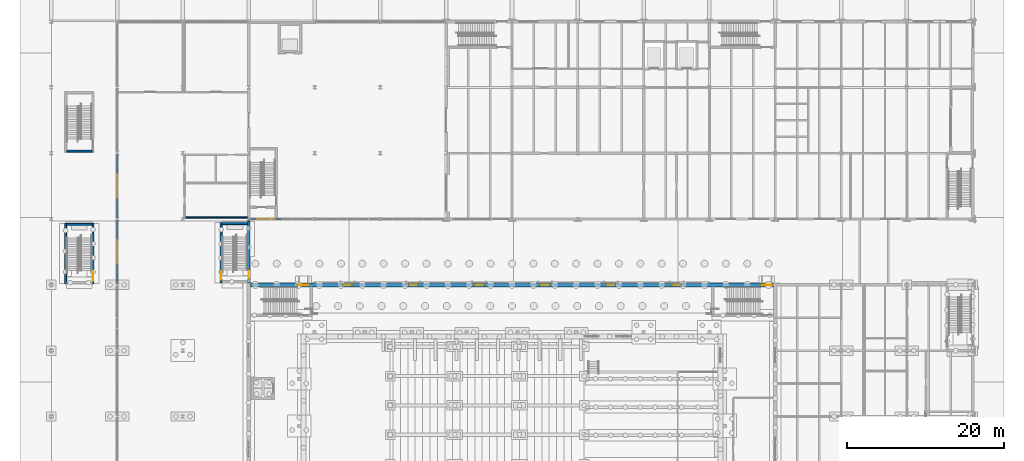
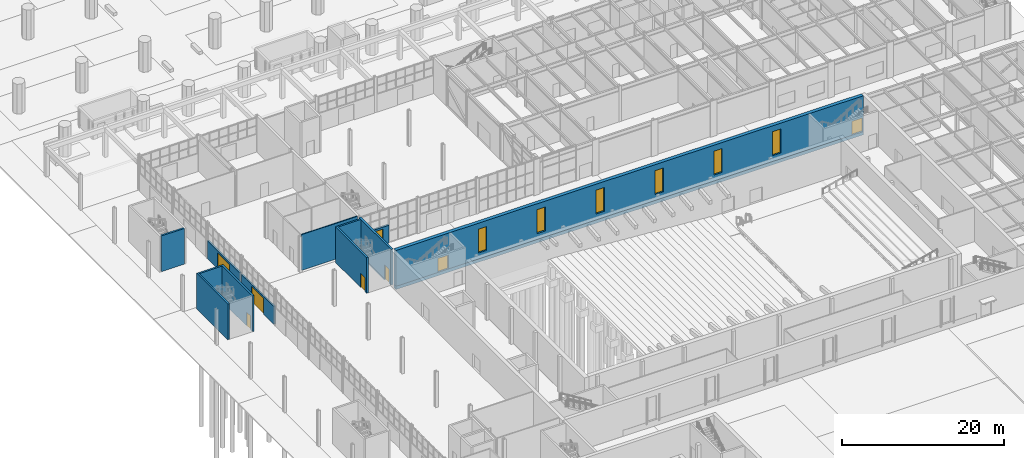
# One storey, part 65 of 127: 14 walls, 8 doors, 6 windows, 14 openings.
"""IFC4 building model written with IfcOpenShell, lengths in metres."""

from ifc_helpers import new_model, si_unit, direction, frame, frame_2d, origin, place, context, subcontext, project, spatial, rectangle, extrude, material, layer, layer_set, type_object, element, fill, save


model = new_model("IFC4")

# Units and contexts
model_context = context("Model", 3, precision=1e-05, world=origin(), true_north=direction((0.0, 1.0)))
body_context = subcontext(model_context, "Body", "Model", "MODEL_VIEW")
ifc_project = project(units=[si_unit("LENGTHUNIT", "METRE"), si_unit("AREAUNIT", "SQUARE_METRE"), si_unit("VOLUMEUNIT", "CUBIC_METRE"), si_unit("PLANEANGLEUNIT", "RADIAN"), si_unit("MASSUNIT", "GRAM", prefix="KILO")], contexts=[model_context])

# Site, building, storey
site_placement = place(None, origin())
site = spatial("IfcSite", under=ifc_project, at=site_placement, CompositionType="ELEMENT")
building_placement = place(site_placement, origin())
building = spatial("IfcBuilding", under=site, at=building_placement, Name="Ljudholm Concert House", CompositionType="ELEMENT")
storey_placement = place(building_placement, origin())
storey = spatial("IfcBuildingStorey", under=building, at=storey_placement, Name="L00", CompositionType="ELEMENT", Elevation=0.0)

# Wall
ifc_material_1 = material(Name="Gypsum board on steel studs", Category="steel")
ifc_layer_1 = layer(ifc_material_1, 0.14990234375)
ifc_layer_set_1 = layer_set([ifc_layer_1], Name="Gypsum board on steel studs")
wall_type_1 = type_object("IfcWallType", Name="GYPSUM PARTITION 150", PredefinedType="PARTITIONING", material=ifc_layer_set_1)
wall_1_placement = place(storey_placement, frame((21.074951171875, 105.0, 0.0), z_axis=(0.0, 0.0, 1.0), x_axis=(1.0, 0.0, 0.0)))
element("IfcWall", 1, at=wall_1_placement, inside=storey, type_object=wall_type_1, Name="Room wall", PredefinedType="PARTITIONING", context=body_context, shape_type="SweptSolid", body=[
    extrude(rectangle(XDim=7.97509765625, YDim=0.14990234375, at=frame_2d((3.987548828125, 0.0))), origin(), (0.0, 0.0, 1.0), 5.39990234375),
])

# Wall, opening, door
ifc_material_2 = material(Name="Concrete 6,500 psi", Category="concrete")
ifc_layer_2 = layer(ifc_material_2, 0.25)
ifc_layer_set_2 = layer_set([ifc_layer_2], Name="Concrete 6,500 psi")
wall_type_2 = type_object("IfcWallType", Name="RC CORE WALL 250", PredefinedType="SHEAR", material=ifc_layer_set_2)
wall_2_placement = place(storey_placement, frame((25.675048828125, 96.64990234375, 0.0), z_axis=(0.0, 0.0, 1.0), x_axis=(0.0, 1.0, 0.0)))
wall_2 = element("IfcWall", 2, at=wall_2_placement, inside=storey, type_object=wall_type_2, Name="Stair enclosure wall", PredefinedType="SHEAR", context=body_context, shape_type="SweptSolid", body=[
    extrude(rectangle(XDim=7.7001953125, YDim=0.25, at=frame_2d((3.85009765625, 0.0))), origin(), (0.0, 0.0, 1.0), 5.39990234375),
])
opening_1_placement = place(wall_2_placement, frame((0.39990234375, 0.0, 0.0)))
opening_1 = element("IfcOpeningElement", 3, at=opening_1_placement, cuts=wall_2, Name="Opening D-S00-017", PredefinedType="OPENING", context=body_context, shape_type="SweptSolid", body=[
    extrude(rectangle(XDim=1.10009765625, YDim=2.10009765625, at=frame_2d((0.550048828125, 1.050048828125))), frame((0.0, 0.135009765625, 0.0), z_axis=(0.0, -1.0, 0.0), x_axis=(1.0, 0.0, 0.0)), (0.0, 0.0, 1.0), 0.27001953125),
])
ifc_material_3 = material(Name="Hollow metal door in steel frame", Category="steel")
door_type_1 = type_object("IfcDoorType", Name="SWING DOOR 1100x2100", OperationType="SINGLE_SWING_LEFT", PredefinedType="DOOR", material=ifc_material_3)
door_1_placement = place(opening_1_placement, frame((1.10009765625, 0.0, 0.0), z_axis=(0.0, 0.0, 1.0), x_axis=(-1.0, 0.0, 0.0)))
door_1 = element("IfcDoor", 4, at=door_1_placement, inside=storey, type_object=door_type_1, Name="Stair door", OperationType="SINGLE_SWING_RIGHT", OverallHeight=2.10009765625, OverallWidth=1.10009765625, PredefinedType="DOOR", context=body_context, shape_type="SweptSolid", body=[
    extrude(rectangle(XDim=1.10009765625, YDim=2.10009765625, at=frame_2d((0.550048828125, 1.050048828125))), frame((0.0, 0.02490234375, 0.0), z_axis=(0.0, -1.0, 0.0), x_axis=(1.0, 0.0, 0.0)), (0.0, 0.0, 1.0), 0.050048828125),
])
fill(opening_1, door_1)

# Walls
wall_3_placement = place(storey_placement, frame((25.800048828125, 104.22509765625, 0.0), z_axis=(0.0, 0.0, 1.0), x_axis=(1.0, 0.0, 0.0)))
element("IfcWall", 5, at=wall_3_placement, inside=storey, type_object=wall_type_2, Name="Stair enclosure wall", PredefinedType="SHEAR", context=body_context, shape_type="SweptSolid", body=[
    extrude(rectangle(XDim=3.25, YDim=0.25, at=frame_2d((1.625, 0.0))), origin(), (0.0, 0.0, 1.0), 5.39990234375),
])
wall_4_placement = place(storey_placement, frame((5.824951171875, 96.550048828125, 0.0), z_axis=(0.0, 0.0, 1.0), x_axis=(0.0, 1.0, 0.0)))
element("IfcWall", 6, at=wall_4_placement, inside=storey, type_object=wall_type_2, Name="Stair enclosure wall", PredefinedType="SHEAR", context=body_context, shape_type="SweptSolid", body=[
    extrude(rectangle(XDim=7.699951171875, YDim=0.25, at=frame_2d((3.85009765625, 0.0))), origin(), (0.0, 0.0, 1.0), 5.39990234375),
])

# Wall, opening, door
wall_5_placement = place(storey_placement, frame((9.324951171875, 96.550048828125, 0.0), z_axis=(0.0, 0.0, 1.0), x_axis=(0.0, 1.0, 0.0)))
wall_5 = element("IfcWall", 7, at=wall_5_placement, inside=storey, type_object=wall_type_2, Name="Stair enclosure wall", PredefinedType="SHEAR", context=body_context, shape_type="SweptSolid", body=[
    extrude(rectangle(XDim=7.699951171875, YDim=0.25, at=frame_2d((3.85009765625, 0.0))), origin(), (0.0, 0.0, 1.0), 5.39990234375),
])
opening_2_placement = place(wall_5_placement, frame((0.39990234375, 0.0, 0.0)))
opening_2 = element("IfcOpeningElement", 8, at=opening_2_placement, cuts=wall_5, Name="Opening D-S00-019", PredefinedType="OPENING", context=body_context, shape_type="SweptSolid", body=[
    extrude(rectangle(XDim=1.10009765625, YDim=2.10009765625, at=frame_2d((0.550048828125, 1.050048828125))), frame((0.0, 0.135009765625, 0.0), z_axis=(0.0, -1.0, 0.0), x_axis=(1.0, 0.0, 0.0)), (0.0, 0.0, 1.0), 0.27001953125),
])
ifc_material_4 = material(Name="Hollow metal door in steel frame", Category="steel")
door_type_2 = type_object("IfcDoorType", Name="SWING DOOR 1100x2100 EXTERNAL", OperationType="SINGLE_SWING_LEFT", PredefinedType="DOOR", material=ifc_material_4)
door_2_placement = place(opening_2_placement, frame((1.10009765625, 0.0, 0.0), z_axis=(0.0, 0.0, 1.0), x_axis=(-1.0, 0.0, 0.0)))
door_2 = element("IfcDoor", 9, at=door_2_placement, inside=storey, type_object=door_type_2, Name="Stair exit door", OperationType="SINGLE_SWING_RIGHT", OverallHeight=2.10009765625, OverallWidth=1.10009765625, PredefinedType="DOOR", context=body_context, shape_type="SweptSolid", body=[
    extrude(rectangle(XDim=1.10009765625, YDim=2.10009765625, at=frame_2d((0.550048828125, 1.050048828125))), frame((0.0, 0.02490234375, 0.0), z_axis=(0.0, -1.0, 0.0), x_axis=(1.0, 0.0, 0.0)), (0.0, 0.0, 1.0), 0.050048828125),
])
fill(opening_2, door_2)

# Walls
for number, where, z_axis, x_axis, name in (
    (10, (5.949951171875, 104.125, 0.0), (0.0, 0.0, 1.0), (1.0, 0.0, 0.0), "Stair enclosure wall"),
    (11, (5.949951171875, 113.47509765625, 0.0), (0.0, 0.0, 1.0), (1.0, 0.0, 0.0), "Stair enclosure wall"),
):
    element("IfcWall", number, at=place(storey_placement, frame(where, z_axis=z_axis, x_axis=x_axis)), inside=storey, type_object=wall_type_2, Name=name, PredefinedType="SHEAR", context=body_context, shape_type="SweptSolid", body=[
        extrude(rectangle(XDim=3.25, YDim=0.25, at=frame_2d((1.625, 0.0))), origin(), (0.0, 0.0, 1.0), 5.39990234375),
    ])
ifc_material_5 = material(Name="Concrete 6,500 psi", Category="concrete")
ifc_layer_3 = layer(ifc_material_5, 0.300048828125)
ifc_layer_set_3 = layer_set([ifc_layer_3], Name="Concrete 6,500 psi")
wall_type_3 = type_object("IfcWallType", Name="RC WALL 300", PredefinedType="SOLIDWALL", material=ifc_layer_set_3)
wall_6_placement = place(storey_placement, frame((29.199951171875, 98.320068359375, -0.199951171875), z_axis=(0.0, 0.0, 1.0), x_axis=(0.0, 1.0, 0.0)))
element("IfcWall", 12, at=wall_6_placement, inside=storey, type_object=wall_type_3, Name="Wall stem", PredefinedType="SOLIDWALL", context=body_context, shape_type="SweptSolid", body=[
    extrude(rectangle(XDim=6.159912109375, YDim=0.300048828125, at=frame_2d((3.080078125, 0.0))), origin(), (0.0, 0.0, 1.0), 0.199951171875),
])

# Wall, opening, door
ifc_material_6 = material(Name="Concrete 6,500 psi", Category="concrete")
ifc_layer_4 = layer(ifc_material_6, 0.300048828125)
ifc_layer_set_4 = layer_set([ifc_layer_4], Name="Concrete 6,500 psi")
wall_type_4 = type_object("IfcWallType", Name="RC WALL 300 EXTERNAL", PredefinedType="SOLIDWALL", material=ifc_layer_set_4)
wall_7_placement = place(storey_placement, frame((29.199951171875, 96.64990234375, 0.0), z_axis=(0.0, 0.0, 1.0), x_axis=(0.0, 1.0, 0.0)))
wall_7 = element("IfcWall", 13, at=wall_7_placement, inside=storey, type_object=wall_type_4, Name="Stair enclosure wall", PredefinedType="SOLIDWALL", context=body_context, shape_type="SweptSolid", body=[
    extrude(rectangle(XDim=7.96337890625, YDim=0.300048828125, at=frame_2d((3.981689453125, 0.0))), origin(), (0.0, 0.0, 1.0), 5.39990234375),
])
opening_3_placement = place(wall_7_placement, frame((0.550048828125, 0.0, 0.0)))
opening_3 = element("IfcOpeningElement", 14, at=opening_3_placement, cuts=wall_7, Name="Opening D-S00-014", PredefinedType="OPENING", context=body_context, shape_type="SweptSolid", body=[
    extrude(rectangle(XDim=1.10009765625, YDim=2.10009765625, at=frame_2d((0.550048828125, 1.050048828125))), frame((0.0, 0.159912109375, 0.0), z_axis=(0.0, -1.0, 0.0), x_axis=(1.0, 0.0, 0.0)), (0.0, 0.0, 1.0), 0.320068359375),
])
door_3_placement = place(opening_3_placement, frame((1.10009765625, 0.0, 0.0), z_axis=(0.0, 0.0, 1.0), x_axis=(-1.0, 0.0, 0.0)))
door_3 = element("IfcDoor", 15, at=door_3_placement, inside=storey, type_object=door_type_2, Name="Stair exit door", OperationType="SINGLE_SWING_RIGHT", OverallHeight=2.10009765625, OverallWidth=1.10009765625, PredefinedType="DOOR", context=body_context, shape_type="SweptSolid", body=[
    extrude(rectangle(XDim=1.10009765625, YDim=2.10009765625, at=frame_2d((0.550048828125, 1.050048828125))), frame((0.0, 0.02490234375, 0.0), z_axis=(0.0, -1.0, 0.0), x_axis=(1.0, 0.0, 0.0)), (0.0, 0.0, 1.0), 0.050048828125),
])
fill(opening_3, door_3)

# Wall, openings, doors, windows
ifc_material_7 = material(Name="Concrete 6,500 psi", Category="concrete")
ifc_layer_5 = layer(ifc_material_7, 0.5)
ifc_layer_set_5 = layer_set([ifc_layer_5], Name="Concrete 6,500 psi")
wall_type_5 = type_object("IfcWallType", Name="RC WALL 500", PredefinedType="SOLIDWALL", material=ifc_layer_set_5)
wall_8_placement = place(storey_placement, frame((29.449951171875, 96.39990234375, 0.0), z_axis=(0.0, 0.0, 1.0), x_axis=(1.0, 0.0, 0.0)))
wall_8 = element("IfcWall", 16, at=wall_8_placement, inside=storey, type_object=wall_type_5, Name="Outer wall N", PredefinedType="SOLIDWALL", context=body_context, shape_type="SweptSolid", body=[
    extrude(rectangle(XDim=66.699951171875, YDim=0.5, at=frame_2d((33.35009765625, 0.0))), origin(), (0.0, 0.0, 1.0), 5.39990234375),
])
opening_4_placement = place(wall_8_placement, frame((11.75, 0.0, 0.89990234375)))
opening_4 = element("IfcOpeningElement", 17, at=opening_4_placement, cuts=wall_8, Name="Opening X-H00-007", PredefinedType="OPENING", context=body_context, shape_type="SweptSolid", body=[
    extrude(rectangle(XDim=1.199951171875, YDim=3.60009765625, at=frame_2d((0.60009765625, 1.800048828125))), frame((0.0, 0.260009765625, 0.0), z_axis=(0.0, -1.0, 0.0), x_axis=(1.0, 0.0, 0.0)), (0.0, 0.0, 1.0), 0.52001953125),
])
opening_5_placement = place(wall_8_placement, frame((20.14990234375, 0.0, 0.89990234375)))
opening_5 = element("IfcOpeningElement", 18, at=opening_5_placement, cuts=wall_8, Name="Opening X-H00-008", PredefinedType="OPENING", context=body_context, shape_type="SweptSolid", body=[
    extrude(rectangle(XDim=1.199951171875, YDim=3.60009765625, at=frame_2d((0.60009765625, 1.800048828125))), frame((0.0, 0.260009765625, 0.0), z_axis=(0.0, -1.0, 0.0), x_axis=(1.0, 0.0, 0.0)), (0.0, 0.0, 1.0), 0.52001953125),
])
opening_6_placement = place(wall_8_placement, frame((28.550048828125, 0.0, 0.89990234375)))
opening_6 = element("IfcOpeningElement", 19, at=opening_6_placement, cuts=wall_8, Name="Opening X-H00-009", PredefinedType="OPENING", context=body_context, shape_type="SweptSolid", body=[
    extrude(rectangle(XDim=1.199951171875, YDim=3.60009765625, at=frame_2d((0.60009765625, 1.800048828125))), frame((0.0, 0.260009765625, 0.0), z_axis=(0.0, -1.0, 0.0), x_axis=(1.0, 0.0, 0.0)), (0.0, 0.0, 1.0), 0.52001953125),
])
opening_7_placement = place(wall_8_placement, frame((36.949951171875, 0.0, 0.89990234375)))
opening_7 = element("IfcOpeningElement", 20, at=opening_7_placement, cuts=wall_8, Name="Opening X-H00-010", PredefinedType="OPENING", context=body_context, shape_type="SweptSolid", body=[
    extrude(rectangle(XDim=1.199951171875, YDim=3.60009765625, at=frame_2d((0.60009765625, 1.800048828125))), frame((0.0, 0.260009765625, 0.0), z_axis=(0.0, -1.0, 0.0), x_axis=(1.0, 0.0, 0.0)), (0.0, 0.0, 1.0), 0.52001953125),
])
opening_8_placement = place(wall_8_placement, frame((45.35009765625, 0.0, 0.89990234375)))
opening_8 = element("IfcOpeningElement", 21, at=opening_8_placement, cuts=wall_8, Name="Opening X-H00-011", PredefinedType="OPENING", context=body_context, shape_type="SweptSolid", body=[
    extrude(rectangle(XDim=1.199951171875, YDim=3.60009765625, at=frame_2d((0.60009765625, 1.800048828125))), frame((0.0, 0.260009765625, 0.0), z_axis=(0.0, -1.0, 0.0), x_axis=(1.0, 0.0, 0.0)), (0.0, 0.0, 1.0), 0.52001953125),
])
opening_9_placement = place(wall_8_placement, frame((53.75, 0.0, 0.89990234375)))
opening_9 = element("IfcOpeningElement", 22, at=opening_9_placement, cuts=wall_8, Name="Opening X-H00-012", PredefinedType="OPENING", context=body_context, shape_type="SweptSolid", body=[
    extrude(rectangle(XDim=1.199951171875, YDim=3.60009765625, at=frame_2d((0.60009765625, 1.800048828125))), frame((0.0, 0.260009765625, 0.0), z_axis=(0.0, -1.0, 0.0), x_axis=(1.0, 0.0, 0.0)), (0.0, 0.0, 1.0), 0.52001953125),
])
opening_10_placement = place(wall_8_placement, frame((6.0, 0.0, 0.0)))
opening_10 = element("IfcOpeningElement", 23, at=opening_10_placement, cuts=wall_8, Name="Opening D-H00-009", PredefinedType="OPENING", context=body_context, shape_type="SweptSolid", body=[
    extrude(rectangle(XDim=1.5, YDim=2.10009765625, at=frame_2d((0.75, 1.050048828125))), frame((0.0, 0.260009765625, 0.0), z_axis=(0.0, -1.0, 0.0), x_axis=(1.0, 0.0, 0.0)), (0.0, 0.0, 1.0), 0.52001953125),
])
opening_11_placement = place(wall_8_placement, frame((65.10009765625, 0.0, 0.0)))
opening_11 = element("IfcOpeningElement", 24, at=opening_11_placement, cuts=wall_8, Name="Opening D-H00-013", PredefinedType="OPENING", context=body_context, shape_type="SweptSolid", body=[
    extrude(rectangle(XDim=1.5, YDim=2.10009765625, at=frame_2d((0.75, 1.050048828125))), frame((0.0, 0.260009765625, 0.0), z_axis=(0.0, -1.0, 0.0), x_axis=(1.0, 0.0, 0.0)), (0.0, 0.0, 1.0), 0.52001953125),
])
ifc_material_8 = material(Name="Hollow metal door in steel frame", Category="steel")
door_type_3 = type_object("IfcDoorType", Name="DOUBLE DOOR 1500x2100", OperationType="DOUBLE_DOOR_SINGLE_SWING", PredefinedType="DOOR", material=ifc_material_8)
door_4_placement = place(opening_10_placement, origin())
door_4 = element("IfcDoor", 25, at=door_4_placement, inside=storey, type_object=door_type_3, Name="Final exit EH2", OperationType="DOUBLE_DOOR_SINGLE_SWING", OverallHeight=2.10009765625, OverallWidth=1.5, PredefinedType="DOOR", context=body_context, shape_type="SweptSolid", body=[
    extrude(rectangle(XDim=1.5, YDim=2.10009765625, at=frame_2d((0.75, 1.050048828125))), frame((0.0, 0.02490234375, 0.0), z_axis=(0.0, -1.0, 0.0), x_axis=(1.0, 0.0, 0.0)), (0.0, 0.0, 1.0), 0.050048828125),
])
fill(opening_10, door_4)
door_5_placement = place(opening_11_placement, origin())
door_5 = element("IfcDoor", 26, at=door_5_placement, inside=storey, type_object=door_type_3, Name="Final exit EH4", OperationType="DOUBLE_DOOR_SINGLE_SWING", OverallHeight=2.10009765625, OverallWidth=1.5, PredefinedType="DOOR", context=body_context, shape_type="SweptSolid", body=[
    extrude(rectangle(XDim=1.5, YDim=2.10009765625, at=frame_2d((0.75, 1.050048828125))), frame((0.0, 0.02490234375, 0.0), z_axis=(0.0, -1.0, 0.0), x_axis=(1.0, 0.0, 0.0)), (0.0, 0.0, 1.0), 0.050048828125),
])
fill(opening_11, door_5)
ifc_material_9 = material(Name="Aluminium frame, impact glazing", Category="aluminium")
window_type = type_object("IfcWindowType", Name="FIXED WINDOW 1200x3600", PartitioningType="SINGLE_PANEL", PredefinedType="WINDOW", material=ifc_material_9)
window_1_placement = place(opening_4_placement, origin())
window_1 = element("IfcWindow", 27, at=window_1_placement, inside=storey, type_object=window_type, Name="Slot window", OverallHeight=3.60009765625, OverallWidth=1.199951171875, PartitioningType="SINGLE_PANEL", PredefinedType="WINDOW", context=body_context, shape_type="SweptSolid", body=[
    extrude(rectangle(XDim=1.199951171875, YDim=3.60009765625, at=frame_2d((0.60009765625, 1.800048828125))), frame((0.0, 0.030029296875, 0.0), z_axis=(0.0, -1.0, 0.0), x_axis=(1.0, 0.0, 0.0)), (0.0, 0.0, 1.0), 0.06005859375),
])
fill(opening_4, window_1)
window_2_placement = place(opening_5_placement, origin())
window_2 = element("IfcWindow", 28, at=window_2_placement, inside=storey, type_object=window_type, Name="Slot window", OverallHeight=3.60009765625, OverallWidth=1.199951171875, PartitioningType="SINGLE_PANEL", PredefinedType="WINDOW", context=body_context, shape_type="SweptSolid", body=[
    extrude(rectangle(XDim=1.199951171875, YDim=3.60009765625, at=frame_2d((0.60009765625, 1.800048828125))), frame((0.0, 0.030029296875, 0.0), z_axis=(0.0, -1.0, 0.0), x_axis=(1.0, 0.0, 0.0)), (0.0, 0.0, 1.0), 0.06005859375),
])
fill(opening_5, window_2)
window_3_placement = place(opening_6_placement, origin())
window_3 = element("IfcWindow", 29, at=window_3_placement, inside=storey, type_object=window_type, Name="Slot window", OverallHeight=3.60009765625, OverallWidth=1.199951171875, PartitioningType="SINGLE_PANEL", PredefinedType="WINDOW", context=body_context, shape_type="SweptSolid", body=[
    extrude(rectangle(XDim=1.199951171875, YDim=3.60009765625, at=frame_2d((0.60009765625, 1.800048828125))), frame((0.0, 0.030029296875, 0.0), z_axis=(0.0, -1.0, 0.0), x_axis=(1.0, 0.0, 0.0)), (0.0, 0.0, 1.0), 0.06005859375),
])
fill(opening_6, window_3)
window_4_placement = place(opening_7_placement, origin())
window_4 = element("IfcWindow", 30, at=window_4_placement, inside=storey, type_object=window_type, Name="Slot window", OverallHeight=3.60009765625, OverallWidth=1.199951171875, PartitioningType="SINGLE_PANEL", PredefinedType="WINDOW", context=body_context, shape_type="SweptSolid", body=[
    extrude(rectangle(XDim=1.199951171875, YDim=3.60009765625, at=frame_2d((0.60009765625, 1.800048828125))), frame((0.0, 0.030029296875, 0.0), z_axis=(0.0, -1.0, 0.0), x_axis=(1.0, 0.0, 0.0)), (0.0, 0.0, 1.0), 0.06005859375),
])
fill(opening_7, window_4)
window_5_placement = place(opening_8_placement, origin())
window_5 = element("IfcWindow", 31, at=window_5_placement, inside=storey, type_object=window_type, Name="Slot window", OverallHeight=3.60009765625, OverallWidth=1.199951171875, PartitioningType="SINGLE_PANEL", PredefinedType="WINDOW", context=body_context, shape_type="SweptSolid", body=[
    extrude(rectangle(XDim=1.199951171875, YDim=3.60009765625, at=frame_2d((0.60009765625, 1.800048828125))), frame((0.0, 0.030029296875, 0.0), z_axis=(0.0, -1.0, 0.0), x_axis=(1.0, 0.0, 0.0)), (0.0, 0.0, 1.0), 0.06005859375),
])
fill(opening_8, window_5)
window_6_placement = place(opening_9_placement, origin())
window_6 = element("IfcWindow", 32, at=window_6_placement, inside=storey, type_object=window_type, Name="Slot window", OverallHeight=3.60009765625, OverallWidth=1.199951171875, PartitioningType="SINGLE_PANEL", PredefinedType="WINDOW", context=body_context, shape_type="SweptSolid", body=[
    extrude(rectangle(XDim=1.199951171875, YDim=3.60009765625, at=frame_2d((0.60009765625, 1.800048828125))), frame((0.0, 0.030029296875, 0.0), z_axis=(0.0, -1.0, 0.0), x_axis=(1.0, 0.0, 0.0)), (0.0, 0.0, 1.0), 0.06005859375),
])
fill(opening_9, window_6)

# Wall
ifc_material_10 = material(Name="Concrete 6,500 psi", Category="concrete")
ifc_layer_6 = layer(ifc_material_10, 0.5)
ifc_layer_set_6 = layer_set([ifc_layer_6], Name="Concrete 6,500 psi")
wall_type_6 = type_object("IfcWallType", Name="RC WALL 500 INTERNAL", PredefinedType="SOLIDWALL", material=ifc_layer_set_6)
wall_9_placement = place(storey_placement, frame((29.449951171875, 96.39990234375, -0.5), z_axis=(0.0, 0.0, 1.0), x_axis=(1.0, 0.0, 0.0)))
element("IfcWall", 33, at=wall_9_placement, inside=storey, type_object=wall_type_6, Name="Wall stem", PredefinedType="SOLIDWALL", context=body_context, shape_type="SweptSolid", body=[
    extrude(rectangle(XDim=66.699951171875, YDim=0.5, at=frame_2d((33.35009765625, 0.0))), origin(), (0.0, 0.0, 1.0), 0.5),
])

# Wall, opening, door
ifc_material_11 = material(Name="Aluminium cladding with timber-grain PVDF finish", Category="aluminium")
ifc_layer_7 = layer(ifc_material_11, 0.25)
ifc_layer_set_7 = layer_set([ifc_layer_7], Name="Aluminium cladding with timber-grain PVDF finish")
wall_type_7 = type_object("IfcWallType", Name="TIMBER-GRAIN ALUMINIUM CLAD WALL 250", PredefinedType="SOLIDWALL", material=ifc_layer_set_7)
wall_10_placement = place(storey_placement, frame((12.39990234375, 96.586669921875, 0.0), z_axis=(0.0, 0.0, 1.0), x_axis=(0.0, 1.0, 0.0)))
wall_10 = element("IfcWall", 34, at=wall_10_placement, inside=storey, type_object=wall_type_7, Name="Entrance wall", PredefinedType="SOLIDWALL", context=body_context, shape_type="SweptSolid", body=[
    extrude(rectangle(XDim=8.026611328125, YDim=0.25, at=frame_2d((4.01318359375, 0.0))), origin(), (0.0, 0.0, 1.0), 2.699951171875),
])
opening_12_placement = place(wall_10_placement, frame((2.513427734375, 0.0, 0.0)))
opening_12 = element("IfcOpeningElement", 35, at=opening_12_placement, cuts=wall_10, Name="Opening D-S00-006", PredefinedType="OPENING", context=body_context, shape_type="SweptSolid", body=[
    extrude(rectangle(XDim=3.0, YDim=2.39990234375, at=frame_2d((1.5, 1.199951171875))), frame((0.0, 0.135009765625, 0.0), z_axis=(0.0, -1.0, 0.0), x_axis=(1.0, 0.0, 0.0)), (0.0, 0.0, 1.0), 0.27001953125),
])
ifc_material_12 = material(Name="Aluminium frame with impact-rated laminated glass", Category="aluminium")
door_type_4 = type_object("IfcDoorType", Name="GLAZED ENTRANCE DOOR PAIR 3000x2400", OperationType="DOUBLE_DOOR_SINGLE_SWING", PredefinedType="DOOR", material=ifc_material_12)
door_6_placement = place(opening_12_placement, origin())
door_6 = element("IfcDoor", 36, at=door_6_placement, inside=storey, type_object=door_type_4, Name="Entrance door pair", OperationType="DOUBLE_DOOR_SINGLE_SWING", OverallHeight=2.39990234375, OverallWidth=3.0, PredefinedType="DOOR", context=body_context, shape_type="SweptSolid", body=[
    extrude(rectangle(XDim=3.0, YDim=2.39990234375, at=frame_2d((1.5, 1.199951171875))), frame((0.0, 0.02490234375, 0.0), z_axis=(0.0, -1.0, 0.0), x_axis=(1.0, 0.0, 0.0)), (0.0, 0.0, 1.0), 0.050048828125),
])
fill(opening_12, door_6)

wall_11_placement = place(storey_placement, frame((12.39990234375, 104.986572265625, 0.0), z_axis=(0.0, 0.0, 1.0), x_axis=(0.0, 1.0, 0.0)))
wall_11 = element("IfcWall", 37, at=wall_11_placement, inside=storey, type_object=wall_type_7, Name="Entrance wall", PredefinedType="SOLIDWALL", context=body_context, shape_type="SweptSolid", body=[
    extrude(rectangle(XDim=8.02685546875, YDim=0.25, at=frame_2d((4.013427734375, 0.0))), origin(), (0.0, 0.0, 1.0), 2.699951171875),
])
opening_13_placement = place(wall_11_placement, frame((2.513427734375, 0.0, 0.0)))
opening_13 = element("IfcOpeningElement", 38, at=opening_13_placement, cuts=wall_11, Name="Opening D-S00-007", PredefinedType="OPENING", context=body_context, shape_type="SweptSolid", body=[
    extrude(rectangle(XDim=3.0, YDim=2.39990234375, at=frame_2d((1.5, 1.199951171875))), frame((0.0, 0.135009765625, 0.0), z_axis=(0.0, -1.0, 0.0), x_axis=(1.0, 0.0, 0.0)), (0.0, 0.0, 1.0), 0.27001953125),
])
door_7_placement = place(opening_13_placement, origin())
door_7 = element("IfcDoor", 39, at=door_7_placement, inside=storey, type_object=door_type_4, Name="Entrance door pair", OperationType="DOUBLE_DOOR_SINGLE_SWING", OverallHeight=2.39990234375, OverallWidth=3.0, PredefinedType="DOOR", context=body_context, shape_type="SweptSolid", body=[
    extrude(rectangle(XDim=3.0, YDim=2.39990234375, at=frame_2d((1.5, 1.199951171875))), frame((0.0, 0.02490234375, 0.0), z_axis=(0.0, -1.0, 0.0), x_axis=(1.0, 0.0, 0.0)), (0.0, 0.0, 1.0), 0.050048828125),
])
fill(opening_13, door_7)

ifc_material_13 = material(Name="Aluminium cladding with timber-grain PVDF finish", Category="aluminium")
ifc_layer_8 = layer(ifc_material_13, 0.300048828125)
ifc_layer_set_8 = layer_set([ifc_layer_8], Name="Aluminium cladding with timber-grain PVDF finish")
wall_type_8 = type_object("IfcWallType", Name="TIMBER-GRAIN ALUMINIUM CLAD WALL 300", PredefinedType="SOLIDWALL", material=ifc_layer_set_8)
wall_12_placement = place(storey_placement, frame((29.419921875, 104.800048828125, 0.0), z_axis=(0.0, 0.0, 1.0), x_axis=(1.0, 0.0, 0.0)))
wall_12 = element("IfcWall", 40, at=wall_12_placement, inside=storey, type_object=wall_type_8, Name="Exit passage wall", PredefinedType="SOLIDWALL", context=body_context, shape_type="SweptSolid", body=[
    extrude(rectangle(XDim=3.97998046875, YDim=0.300048828125, at=frame_2d((1.989990234375, 0.0))), origin(), (0.0, 0.0, 1.0), 2.699951171875),
])
opening_14_placement = place(wall_12_placement, frame((0.889892578125, 0.0, 0.0)))
opening_14 = element("IfcOpeningElement", 41, at=opening_14_placement, cuts=wall_12, Name="Opening D-G00-005", PredefinedType="OPENING", context=body_context, shape_type="SweptSolid", body=[
    extrude(rectangle(XDim=2.199951171875, YDim=2.39990234375, at=frame_2d((1.10009765625, 1.199951171875))), frame((0.0, 0.159912109375, 0.0), z_axis=(0.0, -1.0, 0.0), x_axis=(1.0, 0.0, 0.0)), (0.0, 0.0, 1.0), 0.320068359375),
])
ifc_material_14 = material(Name="Aluminium frame with impact-rated laminated glass", Category="aluminium")
door_type_5 = type_object("IfcDoorType", Name="GLAZED ENTRANCE DOOR PAIR 2200x2400", OperationType="DOUBLE_DOOR_SINGLE_SWING", PredefinedType="DOOR", material=ifc_material_14)
door_8_placement = place(opening_14_placement, frame((2.199951171875, 0.0, 0.0), z_axis=(0.0, 0.0, 1.0), x_axis=(-1.0, 0.0, 0.0)))
door_8 = element("IfcDoor", 42, at=door_8_placement, inside=storey, type_object=door_type_5, Name="Stair exit door pair", OperationType="DOUBLE_DOOR_SINGLE_SWING", OverallHeight=2.39990234375, OverallWidth=2.199951171875, PredefinedType="DOOR", context=body_context, shape_type="SweptSolid", body=[
    extrude(rectangle(XDim=2.199951171875, YDim=2.39990234375, at=frame_2d((1.10009765625, 1.199951171875))), frame((0.0, 0.02490234375, 0.0), z_axis=(0.0, -1.0, 0.0), x_axis=(1.0, 0.0, 0.0)), (0.0, 0.0, 1.0), 0.050048828125),
])
fill(opening_14, door_8)

save(model, "model.ifc")
